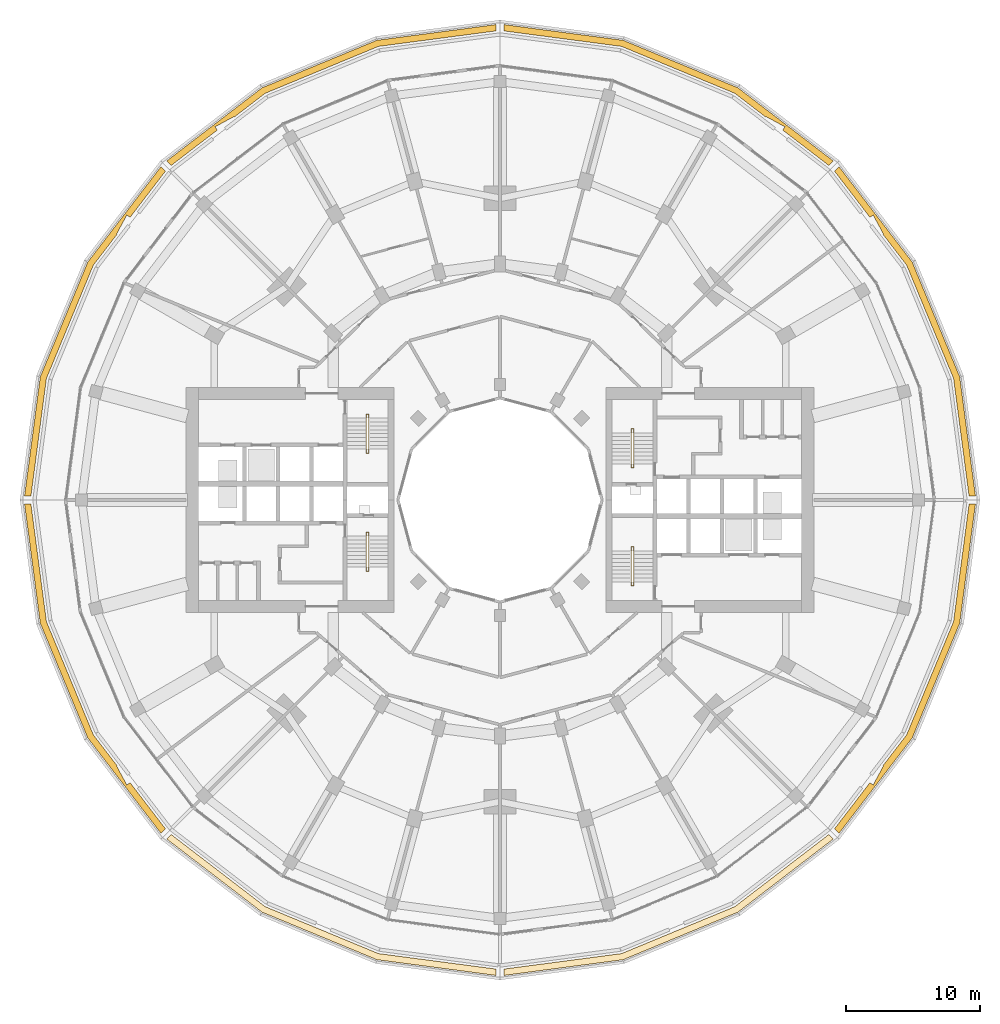
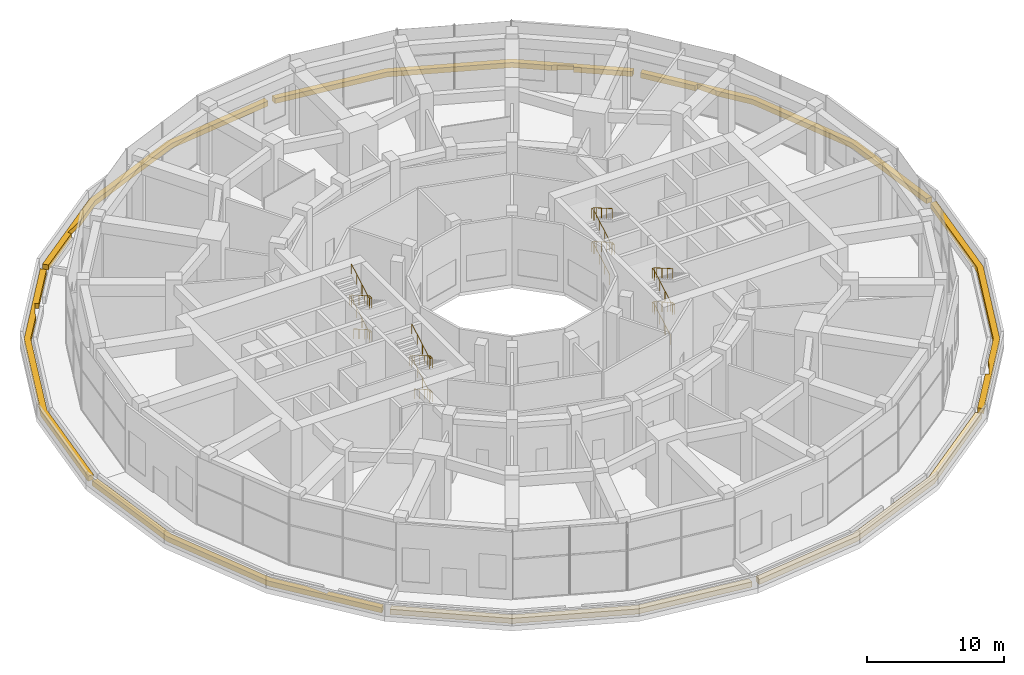
# One storey, part 22 of 23: 8 coverings, 4 railings.
"""IFC4 building model written with IfcOpenShell, lengths in metres."""

from ifc_helpers import new_model, si_unit, direction, frame, origin, origin_2d, place, context, subcontext, project, spatial, polyline, circle, outline, extrude, material, layer, layer_set, type_object, element, save


model = new_model("IFC4")

# Units and contexts
model_context = context("Model", 3, precision=1e-05, world=origin(), true_north=direction((0.0, 1.0)))
body_context = subcontext(model_context, "Body", "Model", "MODEL_VIEW")
ifc_project = project(units=[si_unit("LENGTHUNIT", "METRE"), si_unit("AREAUNIT", "SQUARE_METRE"), si_unit("VOLUMEUNIT", "CUBIC_METRE"), si_unit("PLANEANGLEUNIT", "RADIAN"), si_unit("MASSUNIT", "GRAM", prefix="KILO")], contexts=[model_context])

# Site, building, storey
site_placement = place(None, origin())
site = spatial("IfcSite", under=ifc_project, at=site_placement, CompositionType="ELEMENT")
building_placement = place(site_placement, origin())
building = spatial("IfcBuilding", under=site, at=building_placement, Name="Torre Brocal", CompositionType="ELEMENT")
storey_placement = place(building_placement, frame((0.0, 0.0, 17.800048828125)))
storey = spatial("IfcBuildingStorey", under=building, at=storey_placement, Name="L03", CompositionType="ELEMENT", Elevation=17.800048828125)

# Coverings
ifc_material_1 = material(Name="Planting soil")
ifc_layer = layer(ifc_material_1, 0.449951171875)
ifc_layer_set = layer_set([ifc_layer], Name="Planting soil")
covering_type = type_object("IfcCoveringType", Name="PLANTING SOIL 450", PredefinedType="FLOORING", material=ifc_layer_set)
covering_1_placement = place(storey_placement, origin())
element("IfcCovering", 1, at=covering_1_placement, inside=storey, type_object=covering_type, Name="PLANTING SOIL", PredefinedType="FLOORING", context=body_context, shape_type="SweptSolid", body=[
    extrude(outline(polyline([(115.456298828125, 75.300048828125), (114.982177734375, 75.300048828125), (113.828125, 84.064208984375), (110.32958984375, 92.5107421875), (108.562744140625, 94.8134765625), (108.596923828125, 94.83203125), (107.836669921875, 96.239990234375), (107.576171875, 96.09912109375), (104.9482421875, 99.52392578125), (105.283447265625, 99.859130859375), (110.740234375, 92.747802734375), (114.2861328125, 84.18701171875), (115.456298828125, 75.300048828125)])), origin(), (0.0, 0.0, 1.0), 0.449951171875),
])
covering_2_placement = place(storey_placement, origin())
element("IfcCovering", 2, at=covering_2_placement, inside=storey, type_object=covering_type, Name="PLANTING SOIL", PredefinedType="FLOORING", context=body_context, shape_type="SweptSolid", body=[
    extrude(outline(polyline([(104.859130859375, 100.283447265625), (104.52392578125, 99.9482421875), (101.09912109375, 102.576171875), (101.239990234375, 102.836669921875), (99.83203125, 103.596923828125), (99.8134765625, 103.562744140625), (97.5107421875, 105.32958984375), (89.064208984375, 108.828125), (80.300048828125, 109.982177734375), (80.300048828125, 110.456298828125), (89.18701171875, 109.2861328125), (97.747802734375, 105.740234375), (104.859130859375, 100.283447265625)])), origin(), (0.0, 0.0, 1.0), 0.449951171875),
])
covering_3_placement = place(storey_placement, origin())
element("IfcCovering", 3, at=covering_3_placement, inside=storey, type_object=covering_type, Name="PLANTING SOIL", PredefinedType="FLOORING", context=body_context, shape_type="SweptSolid", body=[
    extrude(outline(polyline([(79.699951171875, 110.456298828125), (79.699951171875, 109.982177734375), (70.935791015625, 108.828125), (62.4892578125, 105.32958984375), (60.1865234375, 103.562744140625), (60.16796875, 103.596923828125), (58.760009765625, 102.836669921875), (58.90087890625, 102.576171875), (55.47607421875, 99.9482421875), (55.140869140625, 100.283447265625), (62.252197265625, 105.740234375), (70.81298828125, 109.2861328125), (79.699951171875, 110.456298828125)])), origin(), (0.0, 0.0, 1.0), 0.449951171875),
])
covering_4_placement = place(storey_placement, origin())
element("IfcCovering", 4, at=covering_4_placement, inside=storey, type_object=covering_type, Name="PLANTING SOIL", PredefinedType="FLOORING", context=body_context, shape_type="SweptSolid", body=[
    extrude(outline(polyline([(54.716552734375, 99.859130859375), (55.0517578125, 99.52392578125), (52.423828125, 96.09912109375), (52.163330078125, 96.239990234375), (51.403076171875, 94.83203125), (51.437255859375, 94.8134765625), (49.67041015625, 92.5107421875), (46.171875, 84.064208984375), (45.017822265625, 75.300048828125), (44.543701171875, 75.300048828125), (45.7138671875, 84.18701171875), (49.259765625, 92.747802734375), (54.716552734375, 99.859130859375)])), origin(), (0.0, 0.0, 1.0), 0.449951171875),
])
covering_5_placement = place(storey_placement, origin())
element("IfcCovering", 5, at=covering_5_placement, inside=storey, type_object=covering_type, Name="PLANTING SOIL", PredefinedType="FLOORING", context=body_context, shape_type="SweptSolid", body=[
    extrude(outline(polyline([(44.543701171875, 74.699951171875), (45.017822265625, 74.699951171875), (46.171875, 65.935791015625), (49.67041015625, 57.4892578125), (51.437255859375, 55.1865234375), (51.403076171875, 55.16796875), (52.163330078125, 53.760009765625), (52.423828125, 53.90087890625), (55.0517578125, 50.47607421875), (54.716552734375, 50.140869140625), (49.259765625, 57.252197265625), (45.7138671875, 65.81298828125), (44.543701171875, 74.699951171875)])), origin(), (0.0, 0.0, 1.0), 0.449951171875),
])
covering_6_placement = place(storey_placement, origin())
element("IfcCovering", 6, at=covering_6_placement, inside=storey, type_object=covering_type, Name="PLANTING SOIL", PredefinedType="FLOORING", context=body_context, shape_type="SweptSolid", body=[
    extrude(outline(polyline([(62.4892578125, 44.67041015625), (70.935791015625, 41.171875), (79.699951171875, 40.017822265625), (79.699951171875, 39.543701171875), (70.81298828125, 40.7138671875), (62.252197265625, 44.259765625), (55.140869140625, 49.716552734375), (55.47607421875, 50.0517578125), (62.4892578125, 44.67041015625)])), origin(), (0.0, 0.0, 1.0), 0.449951171875),
])
covering_7_placement = place(storey_placement, origin())
element("IfcCovering", 7, at=covering_7_placement, inside=storey, type_object=covering_type, Name="PLANTING SOIL", PredefinedType="FLOORING", context=body_context, shape_type="SweptSolid", body=[
    extrude(outline(polyline([(89.064208984375, 41.171875), (97.5107421875, 44.67041015625), (104.52392578125, 50.0517578125), (104.859130859375, 49.716552734375), (97.747802734375, 44.259765625), (89.18701171875, 40.7138671875), (80.300048828125, 39.543701171875), (80.300048828125, 40.017822265625), (89.064208984375, 41.171875)])), origin(), (0.0, 0.0, 1.0), 0.449951171875),
])
covering_8_placement = place(storey_placement, origin())
element("IfcCovering", 8, at=covering_8_placement, inside=storey, type_object=covering_type, Name="PLANTING SOIL", PredefinedType="FLOORING", context=body_context, shape_type="SweptSolid", body=[
    extrude(outline(polyline([(107.576171875, 53.90087890625), (107.836669921875, 53.760009765625), (108.596923828125, 55.16796875), (108.562744140625, 55.1865234375), (110.32958984375, 57.4892578125), (113.828125, 65.935791015625), (114.982177734375, 74.699951171875), (115.456298828125, 74.699951171875), (114.2861328125, 65.81298828125), (110.740234375, 57.252197265625), (105.283447265625, 50.140869140625), (104.9482421875, 50.47607421875), (107.576171875, 53.90087890625)])), origin(), (0.0, 0.0, 1.0), 0.449951171875),
])

# Railings
ifc_material_2 = material(Name="Stainless steel AISI 316", Category="steel")
railing_type = type_object("IfcRailingType", Name="STAIR HANDRAIL", PredefinedType="HANDRAIL", material=ifc_material_2)
railing_1_placement = place(storey_placement, frame((89.780029296875, 77.699951171875, 0.16650390625)))
element("IfcRailing", 9, at=railing_1_placement, inside=storey, type_object=railing_type, Name="HANDRAIL ST1", PredefinedType="HANDRAIL", context=body_context, shape_type="SweptSolid", body=[
    extrude(circle(Radius=0.02392578125, at=origin_2d()), frame((0.0, 0.0, 0.8759765625), z_axis=(0.0, 0.866243448451, 0.499622145242), x_axis=(-1.0, 0.0, 0.0)), (0.0, 0.0, 1.0), 2.6689453125),
    extrude(circle(Radius=0.02392578125, at=origin_2d()), frame((0.0, 2.31201171875, 2.20947265625), z_axis=(0.0, 1.0, 0.0), x_axis=(-1.0, 0.0, 0.0)), (0.0, 0.0, 1.0), 0.300048828125),
    extrude(circle(Radius=0.02392578125, at=origin_2d()), frame((0.0, 2.612060546875, 2.20947265625), z_axis=(1.0, 0.0, 0.0), x_axis=(0.0, 1.0, 0.0)), (0.0, 0.0, 1.0), 0.18994140625),
    extrude(circle(Radius=0.02392578125, at=origin_2d()), frame((0.18994140625, 2.612060546875, 2.20947265625), z_axis=(0.0, -0.87439209197, 0.485220021744), x_axis=(1.0, 0.0, 0.0)), (0.0, 0.0, 1.0), 0.34326171875),
    extrude(circle(Radius=0.02392578125, at=origin_2d()), frame((0.18994140625, 2.31201171875, 2.3759765625), z_axis=(0.0, -0.866243448451, 0.499622145242), x_axis=(1.0, 0.0, 0.0)), (0.0, 0.0, 1.0), 2.6689453125),
    extrude(circle(Radius=0.02392578125, at=origin_2d()), frame((0.18994140625, 0.0, 3.70947265625), z_axis=(0.0, -1.0, 0.0), x_axis=(1.0, 0.0, 0.0)), (0.0, 0.0, 1.0), 0.300048828125),
    extrude(circle(Radius=0.02392578125, at=origin_2d()), frame((0.18994140625, -0.300048828125, 3.70947265625), z_axis=(-1.0, 0.0, 0.0), x_axis=(0.0, -1.0, 0.0)), (0.0, 0.0, 1.0), 0.18994140625),
    extrude(circle(Radius=0.02392578125, at=origin_2d()), frame((0.0, -0.300048828125, 3.70947265625), z_axis=(0.0, 0.87439209197, 0.485220021744), x_axis=(-1.0, 0.0, 0.0)), (0.0, 0.0, 1.0), 0.34326171875),
    extrude(circle(Radius=0.02392578125, at=origin_2d()), frame((0.0, 0.0, 3.8759765625), z_axis=(0.0, 0.866243448451, 0.499622145242), x_axis=(-1.0, 0.0, 0.0)), (0.0, 0.0, 1.0), 2.6689453125),
    extrude(circle(Radius=0.02392578125, at=origin_2d()), frame((0.0, 2.31201171875, 5.20947265625), z_axis=(0.0, 1.0, 0.0), x_axis=(-1.0, 0.0, 0.0)), (0.0, 0.0, 1.0), 0.300048828125),
    extrude(circle(Radius=0.02392578125, at=origin_2d()), frame((0.0, 2.612060546875, 5.20947265625), z_axis=(1.0, 0.0, 0.0), x_axis=(0.0, 1.0, 0.0)), (0.0, 0.0, 1.0), 0.18994140625),
    extrude(circle(Radius=0.02392578125, at=origin_2d()), frame((0.18994140625, 2.612060546875, 5.20947265625), z_axis=(0.0, -0.87439209197, 0.485220021744), x_axis=(1.0, 0.0, 0.0)), (0.0, 0.0, 1.0), 0.34326171875),
    extrude(circle(Radius=0.02392578125, at=origin_2d()), frame((0.18994140625, 2.31201171875, 5.3759765625), z_axis=(0.0, -0.866243448451, 0.499622145242), x_axis=(1.0, 0.0, 0.0)), (0.0, 0.0, 1.0), 2.6689453125),
    extrude(circle(Radius=0.02099609375, at=origin_2d()), origin(), (0.0, 0.0, 1.0), 0.851806640625),
    extrude(circle(Radius=0.02099609375, at=origin_2d()), frame((0.0, 0.770751953125, 0.444580078125)), (0.0, 0.0, 1.0), 0.851806640625),
    extrude(circle(Radius=0.02099609375, at=origin_2d()), frame((0.0, 1.541259765625, 0.888916015625)), (0.0, 0.0, 1.0), 0.851806640625),
    extrude(circle(Radius=0.02099609375, at=origin_2d()), frame((0.0, 2.31201171875, 1.33349609375)), (0.0, 0.0, 1.0), 0.851806640625),
    extrude(circle(Radius=0.02099609375, at=origin_2d()), frame((0.0, 2.612060546875, 1.33349609375)), (0.0, 0.0, 1.0), 0.851806640625),
    extrude(circle(Radius=0.02099609375, at=origin_2d()), frame((0.18994140625, 2.612060546875, 1.33349609375)), (0.0, 0.0, 1.0), 0.851806640625),
    extrude(circle(Radius=0.02099609375, at=origin_2d()), frame((0.18994140625, 2.31201171875, 1.5)), (0.0, 0.0, 1.0), 0.851806640625),
    extrude(circle(Radius=0.02099609375, at=origin_2d()), frame((0.18994140625, 1.541259765625, 1.944580078125)), (0.0, 0.0, 1.0), 0.851806640625),
    extrude(circle(Radius=0.02099609375, at=origin_2d()), frame((0.18994140625, 0.770751953125, 2.388916015625)), (0.0, 0.0, 1.0), 0.851806640625),
    extrude(circle(Radius=0.02099609375, at=origin_2d()), frame((0.18994140625, 0.0, 2.83349609375)), (0.0, 0.0, 1.0), 0.851806640625),
    extrude(circle(Radius=0.02099609375, at=origin_2d()), frame((0.18994140625, -0.300048828125, 2.83349609375)), (0.0, 0.0, 1.0), 0.851806640625),
    extrude(circle(Radius=0.02099609375, at=origin_2d()), frame((0.0, -0.300048828125, 2.83349609375)), (0.0, 0.0, 1.0), 0.851806640625),
    extrude(circle(Radius=0.02099609375, at=origin_2d()), frame((0.0, 0.0, 3.0)), (0.0, 0.0, 1.0), 0.851806640625),
    extrude(circle(Radius=0.02099609375, at=origin_2d()), frame((0.0, 0.770751953125, 3.444580078125)), (0.0, 0.0, 1.0), 0.851806640625),
    extrude(circle(Radius=0.02099609375, at=origin_2d()), frame((0.0, 1.541259765625, 3.888916015625)), (0.0, 0.0, 1.0), 0.851806640625),
    extrude(circle(Radius=0.02099609375, at=origin_2d()), frame((0.0, 2.31201171875, 4.33349609375)), (0.0, 0.0, 1.0), 0.851806640625),
    extrude(circle(Radius=0.02099609375, at=origin_2d()), frame((0.0, 2.612060546875, 4.33349609375)), (0.0, 0.0, 1.0), 0.851806640625),
    extrude(circle(Radius=0.02099609375, at=origin_2d()), frame((0.18994140625, 2.612060546875, 4.33349609375)), (0.0, 0.0, 1.0), 0.851806640625),
    extrude(circle(Radius=0.02099609375, at=origin_2d()), frame((0.18994140625, 2.31201171875, 4.5)), (0.0, 0.0, 1.0), 0.851806640625),
    extrude(circle(Radius=0.02099609375, at=origin_2d()), frame((0.18994140625, 1.541259765625, 4.944580078125)), (0.0, 0.0, 1.0), 0.851806640625),
    extrude(circle(Radius=0.02099609375, at=origin_2d()), frame((0.18994140625, 0.770751953125, 5.388916015625)), (0.0, 0.0, 1.0), 0.851806640625),
    extrude(circle(Radius=0.02099609375, at=origin_2d()), frame((0.18994140625, 0.0, 5.83349609375)), (0.0, 0.0, 1.0), 0.851806640625),
])
railing_2_placement = place(storey_placement, frame((89.780029296875, 68.89990234375, 0.16650390625)))
element("IfcRailing", 10, at=railing_2_placement, inside=storey, type_object=railing_type, Name="HANDRAIL ST2", PredefinedType="HANDRAIL", context=body_context, shape_type="SweptSolid", body=[
    extrude(circle(Radius=0.02392578125, at=origin_2d()), frame((0.0, 0.0, 0.8759765625), z_axis=(0.0, 0.866243448451, 0.499622145242), x_axis=(-1.0, 0.0, 0.0)), (0.0, 0.0, 1.0), 2.6689453125),
    extrude(circle(Radius=0.02392578125, at=origin_2d()), frame((0.0, 2.31201171875, 2.20947265625), z_axis=(0.0, 1.0, 0.0), x_axis=(-1.0, 0.0, 0.0)), (0.0, 0.0, 1.0), 0.300048828125),
    extrude(circle(Radius=0.02392578125, at=origin_2d()), frame((0.0, 2.612060546875, 2.20947265625), z_axis=(1.0, 0.0, 0.0), x_axis=(0.0, 1.0, 0.0)), (0.0, 0.0, 1.0), 0.18994140625),
    extrude(circle(Radius=0.02392578125, at=origin_2d()), frame((0.18994140625, 2.612060546875, 2.20947265625), z_axis=(0.0, -0.87439209197, 0.485220021744), x_axis=(1.0, 0.0, 0.0)), (0.0, 0.0, 1.0), 0.34326171875),
    extrude(circle(Radius=0.02392578125, at=origin_2d()), frame((0.18994140625, 2.31201171875, 2.3759765625), z_axis=(0.0, -0.866243448451, 0.499622145242), x_axis=(1.0, 0.0, 0.0)), (0.0, 0.0, 1.0), 2.6689453125),
    extrude(circle(Radius=0.02392578125, at=origin_2d()), frame((0.18994140625, 0.0, 3.70947265625), z_axis=(0.0, -1.0, 0.0), x_axis=(1.0, 0.0, 0.0)), (0.0, 0.0, 1.0), 0.2998046875),
    extrude(circle(Radius=0.02392578125, at=origin_2d()), frame((0.18994140625, -0.2998046875, 3.70947265625), z_axis=(-1.0, 0.0, 0.0), x_axis=(0.0, -1.0, 0.0)), (0.0, 0.0, 1.0), 0.18994140625),
    extrude(circle(Radius=0.02392578125, at=origin_2d()), frame((0.0, -0.2998046875, 3.70947265625), z_axis=(0.0, 0.874224429002, 0.485522036303), x_axis=(-1.0, 0.0, 0.0)), (0.0, 0.0, 1.0), 0.343017578125),
    extrude(circle(Radius=0.02392578125, at=origin_2d()), frame((0.0, 0.0, 3.8759765625), z_axis=(0.0, 0.866243448451, 0.499622145242), x_axis=(-1.0, 0.0, 0.0)), (0.0, 0.0, 1.0), 2.6689453125),
    extrude(circle(Radius=0.02392578125, at=origin_2d()), frame((0.0, 2.31201171875, 5.20947265625), z_axis=(0.0, 1.0, 0.0), x_axis=(-1.0, 0.0, 0.0)), (0.0, 0.0, 1.0), 0.300048828125),
    extrude(circle(Radius=0.02392578125, at=origin_2d()), frame((0.0, 2.612060546875, 5.20947265625), z_axis=(1.0, 0.0, 0.0), x_axis=(0.0, 1.0, 0.0)), (0.0, 0.0, 1.0), 0.18994140625),
    extrude(circle(Radius=0.02392578125, at=origin_2d()), frame((0.18994140625, 2.612060546875, 5.20947265625), z_axis=(0.0, -0.87439209197, 0.485220021744), x_axis=(1.0, 0.0, 0.0)), (0.0, 0.0, 1.0), 0.34326171875),
    extrude(circle(Radius=0.02392578125, at=origin_2d()), frame((0.18994140625, 2.31201171875, 5.3759765625), z_axis=(0.0, -0.866243448451, 0.499622145242), x_axis=(1.0, 0.0, 0.0)), (0.0, 0.0, 1.0), 2.6689453125),
    extrude(circle(Radius=0.02099609375, at=origin_2d()), origin(), (0.0, 0.0, 1.0), 0.851806640625),
    extrude(circle(Radius=0.02099609375, at=origin_2d()), frame((0.0, 0.770751953125, 0.444580078125)), (0.0, 0.0, 1.0), 0.851806640625),
    extrude(circle(Radius=0.02099609375, at=origin_2d()), frame((0.0, 1.541259765625, 0.888916015625)), (0.0, 0.0, 1.0), 0.851806640625),
    extrude(circle(Radius=0.02099609375, at=origin_2d()), frame((0.0, 2.31201171875, 1.33349609375)), (0.0, 0.0, 1.0), 0.851806640625),
    extrude(circle(Radius=0.02099609375, at=origin_2d()), frame((0.0, 2.612060546875, 1.33349609375)), (0.0, 0.0, 1.0), 0.851806640625),
    extrude(circle(Radius=0.02099609375, at=origin_2d()), frame((0.18994140625, 2.612060546875, 1.33349609375)), (0.0, 0.0, 1.0), 0.851806640625),
    extrude(circle(Radius=0.02099609375, at=origin_2d()), frame((0.18994140625, 2.31201171875, 1.5)), (0.0, 0.0, 1.0), 0.851806640625),
    extrude(circle(Radius=0.02099609375, at=origin_2d()), frame((0.18994140625, 1.541259765625, 1.944580078125)), (0.0, 0.0, 1.0), 0.851806640625),
    extrude(circle(Radius=0.02099609375, at=origin_2d()), frame((0.18994140625, 0.770751953125, 2.388916015625)), (0.0, 0.0, 1.0), 0.851806640625),
    extrude(circle(Radius=0.02099609375, at=origin_2d()), frame((0.18994140625, 0.0, 2.83349609375)), (0.0, 0.0, 1.0), 0.851806640625),
    extrude(circle(Radius=0.02099609375, at=origin_2d()), frame((0.18994140625, -0.2998046875, 2.83349609375)), (0.0, 0.0, 1.0), 0.851806640625),
    extrude(circle(Radius=0.02099609375, at=origin_2d()), frame((0.0, -0.2998046875, 2.83349609375)), (0.0, 0.0, 1.0), 0.851806640625),
    extrude(circle(Radius=0.02099609375, at=origin_2d()), frame((0.0, 0.0, 3.0)), (0.0, 0.0, 1.0), 0.851806640625),
    extrude(circle(Radius=0.02099609375, at=origin_2d()), frame((0.0, 0.770751953125, 3.444580078125)), (0.0, 0.0, 1.0), 0.851806640625),
    extrude(circle(Radius=0.02099609375, at=origin_2d()), frame((0.0, 1.541259765625, 3.888916015625)), (0.0, 0.0, 1.0), 0.851806640625),
    extrude(circle(Radius=0.02099609375, at=origin_2d()), frame((0.0, 2.31201171875, 4.33349609375)), (0.0, 0.0, 1.0), 0.851806640625),
    extrude(circle(Radius=0.02099609375, at=origin_2d()), frame((0.0, 2.612060546875, 4.33349609375)), (0.0, 0.0, 1.0), 0.851806640625),
    extrude(circle(Radius=0.02099609375, at=origin_2d()), frame((0.18994140625, 2.612060546875, 4.33349609375)), (0.0, 0.0, 1.0), 0.851806640625),
    extrude(circle(Radius=0.02099609375, at=origin_2d()), frame((0.18994140625, 2.31201171875, 4.5)), (0.0, 0.0, 1.0), 0.851806640625),
    extrude(circle(Radius=0.02099609375, at=origin_2d()), frame((0.18994140625, 1.541259765625, 4.944580078125)), (0.0, 0.0, 1.0), 0.851806640625),
    extrude(circle(Radius=0.02099609375, at=origin_2d()), frame((0.18994140625, 0.770751953125, 5.388916015625)), (0.0, 0.0, 1.0), 0.851806640625),
    extrude(circle(Radius=0.02099609375, at=origin_2d()), frame((0.18994140625, 0.0, 5.83349609375)), (0.0, 0.0, 1.0), 0.851806640625),
])
railing_3_placement = place(storey_placement, frame((70.219970703125, 72.300048828125, 0.16650390625)))
element("IfcRailing", 11, at=railing_3_placement, inside=storey, type_object=railing_type, Name="HANDRAIL ST3", PredefinedType="HANDRAIL", context=body_context, shape_type="SweptSolid", body=[
    extrude(circle(Radius=0.02392578125, at=origin_2d()), frame((0.0, 0.0, 0.8759765625), z_axis=(0.0, -0.866243448451, 0.499622145242), x_axis=(1.0, 0.0, 0.0)), (0.0, 0.0, 1.0), 2.6689453125),
    extrude(circle(Radius=0.02392578125, at=origin_2d()), frame((0.0, -2.31201171875, 2.20947265625), z_axis=(0.0, -1.0, 0.0), x_axis=(1.0, 0.0, 0.0)), (0.0, 0.0, 1.0), 0.300048828125),
    extrude(circle(Radius=0.02392578125, at=origin_2d()), frame((0.0, -2.612060546875, 2.20947265625), z_axis=(-1.0, 0.0, 0.0), x_axis=(0.0, -1.0, 0.0)), (0.0, 0.0, 1.0), 0.18994140625),
    extrude(circle(Radius=0.02392578125, at=origin_2d()), frame((-0.18994140625, -2.612060546875, 2.20947265625), z_axis=(0.0, 0.87439209197, 0.485220021744), x_axis=(-1.0, 0.0, 0.0)), (0.0, 0.0, 1.0), 0.34326171875),
    extrude(circle(Radius=0.02392578125, at=origin_2d()), frame((-0.18994140625, -2.31201171875, 2.3759765625), z_axis=(0.0, 0.866243448451, 0.499622145242), x_axis=(-1.0, 0.0, 0.0)), (0.0, 0.0, 1.0), 2.6689453125),
    extrude(circle(Radius=0.02392578125, at=origin_2d()), frame((-0.18994140625, 0.0, 3.70947265625), z_axis=(0.0, 1.0, 0.0), x_axis=(-1.0, 0.0, 0.0)), (0.0, 0.0, 1.0), 0.300048828125),
    extrude(circle(Radius=0.02392578125, at=origin_2d()), frame((-0.18994140625, 0.300048828125, 3.70947265625), z_axis=(1.0, 0.0, 0.0), x_axis=(0.0, 1.0, 0.0)), (0.0, 0.0, 1.0), 0.18994140625),
    extrude(circle(Radius=0.02392578125, at=origin_2d()), frame((0.0, 0.300048828125, 3.70947265625), z_axis=(0.0, -0.87439209197, 0.485220021744), x_axis=(1.0, 0.0, 0.0)), (0.0, 0.0, 1.0), 0.34326171875),
    extrude(circle(Radius=0.02392578125, at=origin_2d()), frame((0.0, 0.0, 3.8759765625), z_axis=(0.0, -0.866243448451, 0.499622145242), x_axis=(1.0, 0.0, 0.0)), (0.0, 0.0, 1.0), 2.6689453125),
    extrude(circle(Radius=0.02392578125, at=origin_2d()), frame((0.0, -2.31201171875, 5.20947265625), z_axis=(0.0, -1.0, 0.0), x_axis=(1.0, 0.0, 0.0)), (0.0, 0.0, 1.0), 0.300048828125),
    extrude(circle(Radius=0.02392578125, at=origin_2d()), frame((0.0, -2.612060546875, 5.20947265625), z_axis=(-1.0, 0.0, 0.0), x_axis=(0.0, -1.0, 0.0)), (0.0, 0.0, 1.0), 0.18994140625),
    extrude(circle(Radius=0.02392578125, at=origin_2d()), frame((-0.18994140625, -2.612060546875, 5.20947265625), z_axis=(0.0, 0.87439209197, 0.485220021744), x_axis=(-1.0, 0.0, 0.0)), (0.0, 0.0, 1.0), 0.34326171875),
    extrude(circle(Radius=0.02392578125, at=origin_2d()), frame((-0.18994140625, -2.31201171875, 5.3759765625), z_axis=(0.0, 0.866243448451, 0.499622145242), x_axis=(-1.0, 0.0, 0.0)), (0.0, 0.0, 1.0), 2.6689453125),
    extrude(circle(Radius=0.02099609375, at=origin_2d()), origin(), (0.0, 0.0, 1.0), 0.851806640625),
    extrude(circle(Radius=0.02099609375, at=origin_2d()), frame((0.0, -0.770751953125, 0.444580078125)), (0.0, 0.0, 1.0), 0.851806640625),
    extrude(circle(Radius=0.02099609375, at=origin_2d()), frame((0.0, -1.541259765625, 0.888916015625)), (0.0, 0.0, 1.0), 0.851806640625),
    extrude(circle(Radius=0.02099609375, at=origin_2d()), frame((0.0, -2.31201171875, 1.33349609375)), (0.0, 0.0, 1.0), 0.851806640625),
    extrude(circle(Radius=0.02099609375, at=origin_2d()), frame((0.0, -2.612060546875, 1.33349609375)), (0.0, 0.0, 1.0), 0.851806640625),
    extrude(circle(Radius=0.02099609375, at=origin_2d()), frame((-0.18994140625, -2.612060546875, 1.33349609375)), (0.0, 0.0, 1.0), 0.851806640625),
    extrude(circle(Radius=0.02099609375, at=origin_2d()), frame((-0.18994140625, -2.31201171875, 1.5)), (0.0, 0.0, 1.0), 0.851806640625),
    extrude(circle(Radius=0.02099609375, at=origin_2d()), frame((-0.18994140625, -1.541259765625, 1.944580078125)), (0.0, 0.0, 1.0), 0.851806640625),
    extrude(circle(Radius=0.02099609375, at=origin_2d()), frame((-0.18994140625, -0.770751953125, 2.388916015625)), (0.0, 0.0, 1.0), 0.851806640625),
    extrude(circle(Radius=0.02099609375, at=origin_2d()), frame((-0.18994140625, 0.0, 2.83349609375)), (0.0, 0.0, 1.0), 0.851806640625),
    extrude(circle(Radius=0.02099609375, at=origin_2d()), frame((-0.18994140625, 0.300048828125, 2.83349609375)), (0.0, 0.0, 1.0), 0.851806640625),
    extrude(circle(Radius=0.02099609375, at=origin_2d()), frame((0.0, 0.300048828125, 2.83349609375)), (0.0, 0.0, 1.0), 0.851806640625),
    extrude(circle(Radius=0.02099609375, at=origin_2d()), frame((0.0, 0.0, 3.0)), (0.0, 0.0, 1.0), 0.851806640625),
    extrude(circle(Radius=0.02099609375, at=origin_2d()), frame((0.0, -0.770751953125, 3.444580078125)), (0.0, 0.0, 1.0), 0.851806640625),
    extrude(circle(Radius=0.02099609375, at=origin_2d()), frame((0.0, -1.541259765625, 3.888916015625)), (0.0, 0.0, 1.0), 0.851806640625),
    extrude(circle(Radius=0.02099609375, at=origin_2d()), frame((0.0, -2.31201171875, 4.33349609375)), (0.0, 0.0, 1.0), 0.851806640625),
    extrude(circle(Radius=0.02099609375, at=origin_2d()), frame((0.0, -2.612060546875, 4.33349609375)), (0.0, 0.0, 1.0), 0.851806640625),
    extrude(circle(Radius=0.02099609375, at=origin_2d()), frame((-0.18994140625, -2.612060546875, 4.33349609375)), (0.0, 0.0, 1.0), 0.851806640625),
    extrude(circle(Radius=0.02099609375, at=origin_2d()), frame((-0.18994140625, -2.31201171875, 4.5)), (0.0, 0.0, 1.0), 0.851806640625),
    extrude(circle(Radius=0.02099609375, at=origin_2d()), frame((-0.18994140625, -1.541259765625, 4.944580078125)), (0.0, 0.0, 1.0), 0.851806640625),
    extrude(circle(Radius=0.02099609375, at=origin_2d()), frame((-0.18994140625, -0.770751953125, 5.388916015625)), (0.0, 0.0, 1.0), 0.851806640625),
    extrude(circle(Radius=0.02099609375, at=origin_2d()), frame((-0.18994140625, 0.0, 5.83349609375)), (0.0, 0.0, 1.0), 0.851806640625),
])
railing_4_placement = place(storey_placement, frame((70.219970703125, 81.10009765625, 0.16650390625)))
element("IfcRailing", 12, at=railing_4_placement, inside=storey, type_object=railing_type, Name="HANDRAIL ST4", PredefinedType="HANDRAIL", context=body_context, shape_type="SweptSolid", body=[
    extrude(circle(Radius=0.02392578125, at=origin_2d()), frame((0.0, 0.0, 0.8759765625), z_axis=(0.0, -0.866243448451, 0.499622145242), x_axis=(1.0, 0.0, 0.0)), (0.0, 0.0, 1.0), 2.6689453125),
    extrude(circle(Radius=0.02392578125, at=origin_2d()), frame((0.0, -2.31201171875, 2.20947265625), z_axis=(0.0, -1.0, 0.0), x_axis=(1.0, 0.0, 0.0)), (0.0, 0.0, 1.0), 0.300048828125),
    extrude(circle(Radius=0.02392578125, at=origin_2d()), frame((0.0, -2.612060546875, 2.20947265625), z_axis=(-1.0, 0.0, 0.0), x_axis=(0.0, -1.0, 0.0)), (0.0, 0.0, 1.0), 0.18994140625),
    extrude(circle(Radius=0.02392578125, at=origin_2d()), frame((-0.18994140625, -2.612060546875, 2.20947265625), z_axis=(0.0, 0.87439209197, 0.485220021744), x_axis=(-1.0, 0.0, 0.0)), (0.0, 0.0, 1.0), 0.34326171875),
    extrude(circle(Radius=0.02392578125, at=origin_2d()), frame((-0.18994140625, -2.31201171875, 2.3759765625), z_axis=(0.0, 0.866243448451, 0.499622145242), x_axis=(-1.0, 0.0, 0.0)), (0.0, 0.0, 1.0), 2.6689453125),
    extrude(circle(Radius=0.02392578125, at=origin_2d()), frame((-0.18994140625, 0.0, 3.70947265625), z_axis=(0.0, 1.0, 0.0), x_axis=(-1.0, 0.0, 0.0)), (0.0, 0.0, 1.0), 0.2998046875),
    extrude(circle(Radius=0.02392578125, at=origin_2d()), frame((-0.18994140625, 0.2998046875, 3.70947265625), z_axis=(1.0, 0.0, 0.0), x_axis=(0.0, 1.0, 0.0)), (0.0, 0.0, 1.0), 0.18994140625),
    extrude(circle(Radius=0.02392578125, at=origin_2d()), frame((0.0, 0.2998046875, 3.70947265625), z_axis=(0.0, -0.874224429002, 0.485522036303), x_axis=(1.0, 0.0, 0.0)), (0.0, 0.0, 1.0), 0.343017578125),
    extrude(circle(Radius=0.02392578125, at=origin_2d()), frame((0.0, 0.0, 3.8759765625), z_axis=(0.0, -0.866243448451, 0.499622145242), x_axis=(1.0, 0.0, 0.0)), (0.0, 0.0, 1.0), 2.6689453125),
    extrude(circle(Radius=0.02392578125, at=origin_2d()), frame((0.0, -2.31201171875, 5.20947265625), z_axis=(0.0, -1.0, 0.0), x_axis=(1.0, 0.0, 0.0)), (0.0, 0.0, 1.0), 0.300048828125),
    extrude(circle(Radius=0.02392578125, at=origin_2d()), frame((0.0, -2.612060546875, 5.20947265625), z_axis=(-1.0, 0.0, 0.0), x_axis=(0.0, -1.0, 0.0)), (0.0, 0.0, 1.0), 0.18994140625),
    extrude(circle(Radius=0.02392578125, at=origin_2d()), frame((-0.18994140625, -2.612060546875, 5.20947265625), z_axis=(0.0, 0.87439209197, 0.485220021744), x_axis=(-1.0, 0.0, 0.0)), (0.0, 0.0, 1.0), 0.34326171875),
    extrude(circle(Radius=0.02392578125, at=origin_2d()), frame((-0.18994140625, -2.31201171875, 5.3759765625), z_axis=(0.0, 0.866243448451, 0.499622145242), x_axis=(-1.0, 0.0, 0.0)), (0.0, 0.0, 1.0), 2.6689453125),
    extrude(circle(Radius=0.02099609375, at=origin_2d()), origin(), (0.0, 0.0, 1.0), 0.851806640625),
    extrude(circle(Radius=0.02099609375, at=origin_2d()), frame((0.0, -0.770751953125, 0.444580078125)), (0.0, 0.0, 1.0), 0.851806640625),
    extrude(circle(Radius=0.02099609375, at=origin_2d()), frame((0.0, -1.541259765625, 0.888916015625)), (0.0, 0.0, 1.0), 0.851806640625),
    extrude(circle(Radius=0.02099609375, at=origin_2d()), frame((0.0, -2.31201171875, 1.33349609375)), (0.0, 0.0, 1.0), 0.851806640625),
    extrude(circle(Radius=0.02099609375, at=origin_2d()), frame((0.0, -2.612060546875, 1.33349609375)), (0.0, 0.0, 1.0), 0.851806640625),
    extrude(circle(Radius=0.02099609375, at=origin_2d()), frame((-0.18994140625, -2.612060546875, 1.33349609375)), (0.0, 0.0, 1.0), 0.851806640625),
    extrude(circle(Radius=0.02099609375, at=origin_2d()), frame((-0.18994140625, -2.31201171875, 1.5)), (0.0, 0.0, 1.0), 0.851806640625),
    extrude(circle(Radius=0.02099609375, at=origin_2d()), frame((-0.18994140625, -1.541259765625, 1.944580078125)), (0.0, 0.0, 1.0), 0.851806640625),
    extrude(circle(Radius=0.02099609375, at=origin_2d()), frame((-0.18994140625, -0.770751953125, 2.388916015625)), (0.0, 0.0, 1.0), 0.851806640625),
    extrude(circle(Radius=0.02099609375, at=origin_2d()), frame((-0.18994140625, 0.0, 2.83349609375)), (0.0, 0.0, 1.0), 0.851806640625),
    extrude(circle(Radius=0.02099609375, at=origin_2d()), frame((-0.18994140625, 0.2998046875, 2.83349609375)), (0.0, 0.0, 1.0), 0.851806640625),
    extrude(circle(Radius=0.02099609375, at=origin_2d()), frame((0.0, 0.2998046875, 2.83349609375)), (0.0, 0.0, 1.0), 0.851806640625),
    extrude(circle(Radius=0.02099609375, at=origin_2d()), frame((0.0, 0.0, 3.0)), (0.0, 0.0, 1.0), 0.851806640625),
    extrude(circle(Radius=0.02099609375, at=origin_2d()), frame((0.0, -0.770751953125, 3.444580078125)), (0.0, 0.0, 1.0), 0.851806640625),
    extrude(circle(Radius=0.02099609375, at=origin_2d()), frame((0.0, -1.541259765625, 3.888916015625)), (0.0, 0.0, 1.0), 0.851806640625),
    extrude(circle(Radius=0.02099609375, at=origin_2d()), frame((0.0, -2.31201171875, 4.33349609375)), (0.0, 0.0, 1.0), 0.851806640625),
    extrude(circle(Radius=0.02099609375, at=origin_2d()), frame((0.0, -2.612060546875, 4.33349609375)), (0.0, 0.0, 1.0), 0.851806640625),
    extrude(circle(Radius=0.02099609375, at=origin_2d()), frame((-0.18994140625, -2.612060546875, 4.33349609375)), (0.0, 0.0, 1.0), 0.851806640625),
    extrude(circle(Radius=0.02099609375, at=origin_2d()), frame((-0.18994140625, -2.31201171875, 4.5)), (0.0, 0.0, 1.0), 0.851806640625),
    extrude(circle(Radius=0.02099609375, at=origin_2d()), frame((-0.18994140625, -1.541259765625, 4.944580078125)), (0.0, 0.0, 1.0), 0.851806640625),
    extrude(circle(Radius=0.02099609375, at=origin_2d()), frame((-0.18994140625, -0.770751953125, 5.388916015625)), (0.0, 0.0, 1.0), 0.851806640625),
    extrude(circle(Radius=0.02099609375, at=origin_2d()), frame((-0.18994140625, 0.0, 5.83349609375)), (0.0, 0.0, 1.0), 0.851806640625),
])

save(model, "model.ifc")
